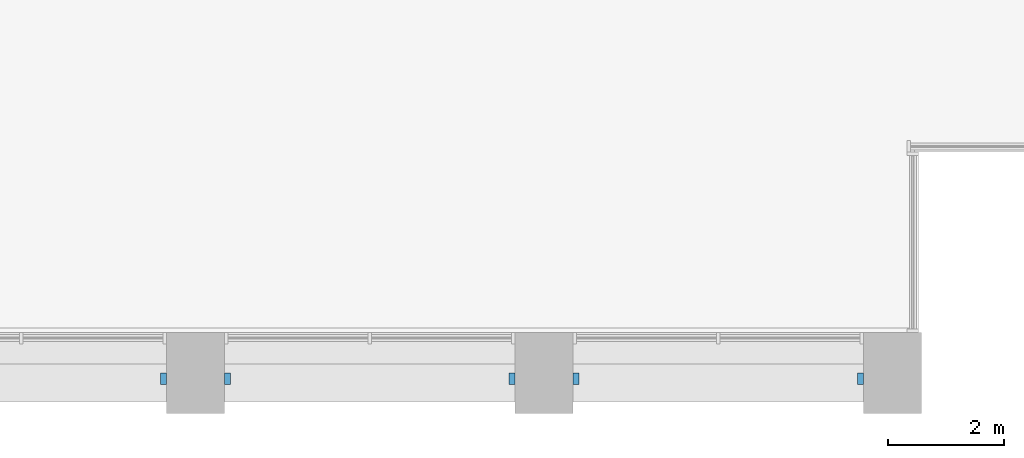
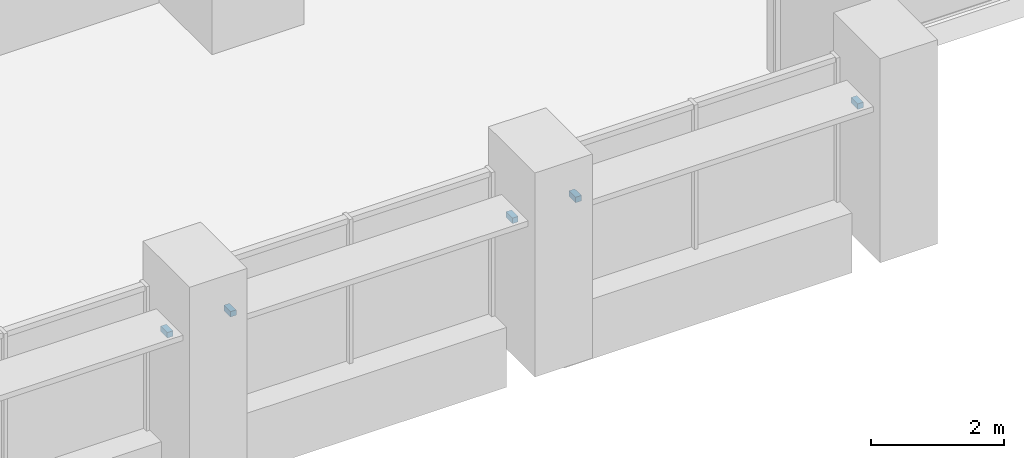
# One storey, part 16 of 17: 5 discrete accessories.
"""IFC4 building model written with IfcOpenShell, lengths in metres."""

from ifc_helpers import new_model, si_unit, direction, frame, origin, origin_2d, place, context, subcontext, project, spatial, rectangle, extrude, element, save


model = new_model("IFC4")

# Units and contexts
model_context = context("Model", 3, precision=1e-05, world=origin(), true_north=direction((0.0, 1.0)))
body_context = subcontext(model_context, "Body", "Model", "MODEL_VIEW")
ifc_project = project(units=[si_unit("LENGTHUNIT", "METRE"), si_unit("AREAUNIT", "SQUARE_METRE"), si_unit("VOLUMEUNIT", "CUBIC_METRE"), si_unit("PLANEANGLEUNIT", "RADIAN"), si_unit("MASSUNIT", "GRAM", prefix="KILO")], contexts=[model_context])

# Site, building, storey
site_placement = place(None, origin())
site = spatial("IfcSite", under=ifc_project, at=site_placement, CompositionType="ELEMENT")
building_placement = place(site_placement, origin())
building = spatial("IfcBuilding", under=site, at=building_placement, Name="Calvaro Tower", CompositionType="ELEMENT")
storey_placement = place(building_placement, frame((0.0, 0.0, 67.5)))
storey = spatial("IfcBuildingStorey", under=building, at=storey_placement, Name="L16", CompositionType="ELEMENT", Elevation=67.5)

# Discrete accessories
for number, where, z_axis, x_axis, name in (
    (1, (59.449951171875, 0.60009765625, 2.14990234375), (0.0, 0.0, 1.0), (1.0, 0.0, 0.0), "Brise-soleil bracket"),
    (2, (60.550048828125, 0.60009765625, 2.14990234375), (0.0, 0.0, 1.0), (1.0, 0.0, 0.0), "Brise-soleil bracket"),
    (3, (65.449951171875, 0.60009765625, 2.14990234375), (0.0, 0.0, 1.0), (1.0, 0.0, 0.0), "Brise-soleil bracket"),
    (4, (66.550048828125, 0.60009765625, 2.14990234375), (0.0, 0.0, 1.0), (1.0, 0.0, 0.0), "Brise-soleil bracket"),
    (5, (71.449951171875, 0.60009765625, 2.14990234375), (0.0, 0.0, 1.0), (1.0, 0.0, 0.0), "Brise-soleil bracket"),
):
    element("IfcDiscreteAccessory", number, at=place(storey_placement, frame(where, z_axis=z_axis, x_axis=x_axis)), inside=storey, Name=name, PredefinedType="BRACKET", context=body_context, shape_type="SweptSolid", body=[
        extrude(rectangle(XDim=0.10009765625, YDim=0.199951171875, at=origin_2d()), origin(), (0.0, 0.0, 1.0), 0.10009765625),
    ])

save(model, "model.ifc")
